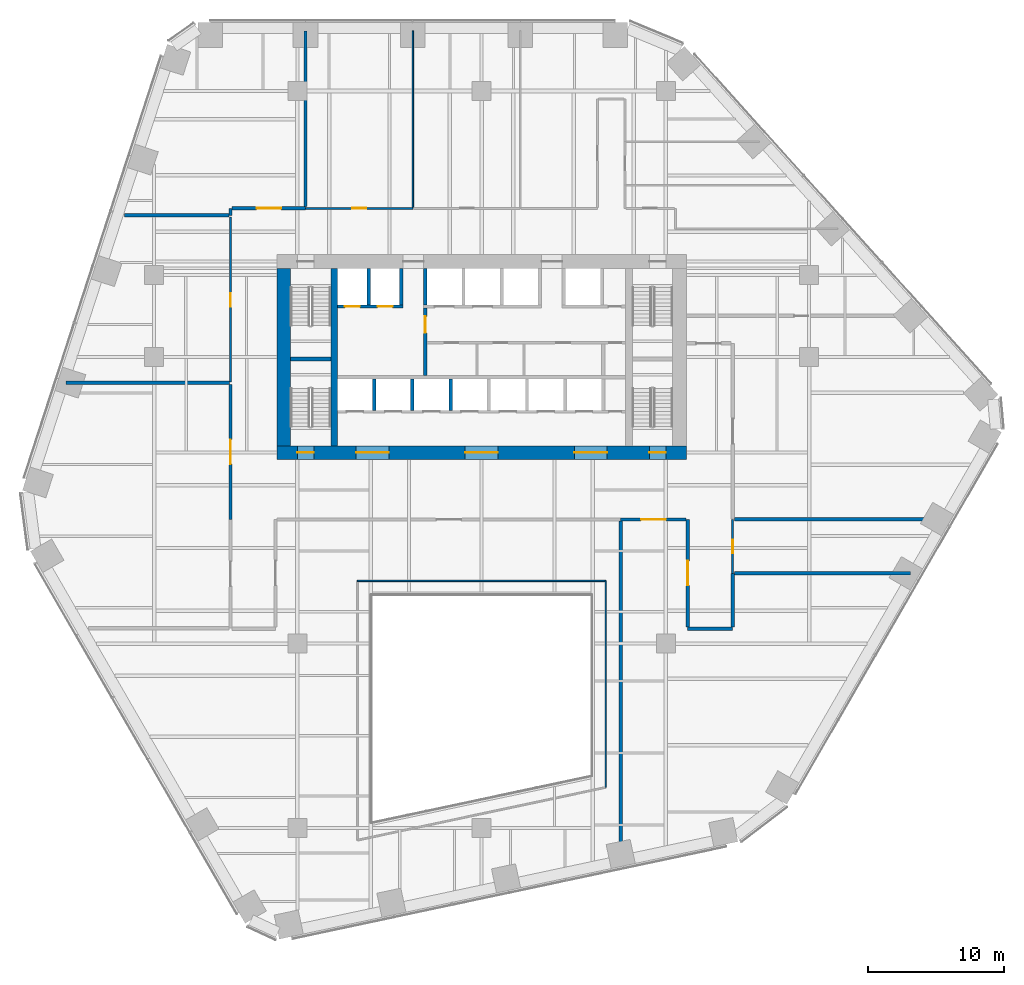
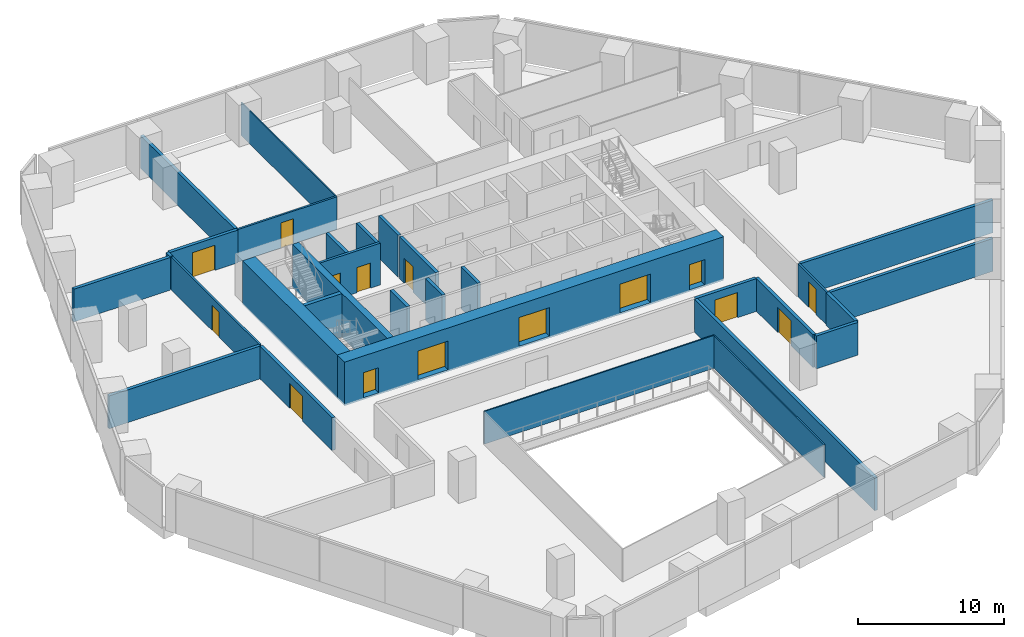
# One storey, part 14 of 20: 31 walls, 15 doors, 15 openings.
"""IFC4 building model written with IfcOpenShell, lengths in metres."""

from ifc_helpers import new_model, si_unit, direction, frame, frame_2d, origin, place, context, subcontext, project, spatial, rectangle, extrude, material, layer, layer_set, type_object, element, fill, save


model = new_model("IFC4")

# Units and contexts
model_context = context("Model", 3, precision=1e-05, world=origin(), true_north=direction((0.0, 1.0)))
body_context = subcontext(model_context, "Body", "Model", "MODEL_VIEW")
ifc_project = project(units=[si_unit("LENGTHUNIT", "METRE"), si_unit("AREAUNIT", "SQUARE_METRE"), si_unit("VOLUMEUNIT", "CUBIC_METRE"), si_unit("PLANEANGLEUNIT", "RADIAN"), si_unit("MASSUNIT", "GRAM", prefix="KILO")], contexts=[model_context])

# Site, building, storey
site_placement = place(None, origin())
site = spatial("IfcSite", under=ifc_project, at=site_placement, CompositionType="ELEMENT")
building_placement = place(site_placement, origin())
building = spatial("IfcBuilding", under=site, at=building_placement, Name="Isthmus Gate Tower", CompositionType="ELEMENT")
storey_placement = place(building_placement, frame((0.0, 0.0, 43.300048828125)))
storey = spatial("IfcBuildingStorey", under=building, at=storey_placement, Name="L08", CompositionType="ELEMENT", Elevation=43.300048828125)

# Wall, opening, door
ifc_material_1 = material(Name="Double-leaf acoustic stud wall, fire-rated", Category="gypsum")
ifc_layer_1 = layer(ifc_material_1, 0.25)
ifc_layer_set_1 = layer_set([ifc_layer_1], Name="ACOUSTIC WALL 250 60 MIN")
wall_type_1 = type_object("IfcWallType", Name="ACOUSTIC WALL 250 60 MIN", PredefinedType="PARTITIONING", material=ifc_layer_set_1)
wall_1_placement = place(storey_placement, frame((14.97509765625, -4.39990234375, 0.0), z_axis=(0.0, 0.0, 1.0), x_axis=(-1.0, 0.0, 0.0)))
wall_1 = element("IfcWall", 1, at=wall_1_placement, inside=storey, type_object=wall_type_1, Name="L08 Acoustic Wall 250 60 Min", PredefinedType="PARTITIONING", context=body_context, shape_type="SweptSolid", body=[
    extrude(rectangle(XDim=4.783203125, YDim=0.25, at=frame_2d((2.3916015625, 0.0))), origin(), (0.0, 0.0, 1.0), 2.7412109375),
])
opening_1_placement = place(wall_1_placement, frame((1.47900390625, 0.0, 0.0)))
opening_1 = element("IfcOpeningElement", 2, at=opening_1_placement, cuts=wall_1, Name="Opening DT-T1A-17", PredefinedType="OPENING", context=body_context, shape_type="SweptSolid", body=[
    extrude(rectangle(XDim=1.800048828125, YDim=2.10009765625, at=frame_2d((0.89990234375, 1.050048828125))), frame((0.0, 0.135009765625, 0.0), z_axis=(0.0, -1.0, 0.0), x_axis=(1.0, 0.0, 0.0)), (0.0, 0.0, 1.0), 0.27001953125),
])
ifc_material_2 = material(Name="Solid core timber door leaf, fire-rated", Category="wood")
door_type_1 = type_object("IfcDoorType", Name="FIRE DOOR ACOUSTIC ROOM 1800 X 2100 60 MIN", OperationType="DOUBLE_DOOR_DOUBLE_SWING", PredefinedType="DOOR", material=ifc_material_2)
door_1_placement = place(opening_1_placement, origin())
door_1 = element("IfcDoor", 3, at=door_1_placement, inside=storey, type_object=door_type_1, Name="L08 room door", OperationType="DOUBLE_DOOR_DOUBLE_SWING", OverallHeight=2.10009765625, OverallWidth=1.800048828125, PredefinedType="DOOR", context=body_context, shape_type="SweptSolid", body=[
    extrude(rectangle(XDim=1.800048828125, YDim=2.10009765625, at=frame_2d((0.89990234375, 1.050048828125))), frame((0.0, 0.02490234375, 0.0), z_axis=(0.0, -1.0, 0.0), x_axis=(1.0, 0.0, 0.0)), (0.0, 0.0, 1.0), 0.050048828125),
])
fill(opening_1, door_1)

# Walls
wall_2_placement = place(storey_placement, frame((18.39990234375, -12.39990234375, 0.0), z_axis=(0.0, 0.0, 1.0), x_axis=(-1.0, 0.0, 0.0)))
element("IfcWall", 4, at=wall_2_placement, inside=storey, type_object=wall_type_1, Name="L08 Acoustic Wall 250 60 Min", PredefinedType="PARTITIONING", context=body_context, shape_type="SweptSolid", body=[
    extrude(rectangle(XDim=3.2998046875, YDim=0.25, at=frame_2d((1.64990234375, 0.0))), origin(), (0.0, 0.0, 1.0), 2.7412109375),
])
wall_3_placement = place(storey_placement, frame((18.402099609375, -8.35009765625, 0.0), z_axis=(0.0, 0.0, 1.0), x_axis=(-0.000497636166, -0.999999876179, 0.0)))
element("IfcWall", 5, at=wall_3_placement, inside=storey, type_object=wall_type_1, Name="L08 Acoustic Wall 250 60 Min", PredefinedType="PARTITIONING", context=body_context, shape_type="SweptSolid", body=[
    extrude(rectangle(XDim=3.9248046875, YDim=0.25, at=frame_2d((1.96240234375, 0.0))), origin(), (0.0, 0.0, 1.0), 2.7412109375),
])
wall_4_placement = place(storey_placement, frame((-18.39990234375, 17.881103515625, 0.0), z_axis=(0.0, 0.0, 1.0), x_axis=(0.0, 1.0, 0.0)))
element("IfcWall", 6, at=wall_4_placement, inside=storey, type_object=wall_type_1, Name="L08 Acoustic Wall 250 60 Min", PredefinedType="PARTITIONING", context=body_context, shape_type="SweptSolid", body=[
    extrude(rectangle(XDim=0.518798828125, YDim=0.25, at=frame_2d((0.25927734375, 0.0))), origin(), (0.0, 0.0, 1.0), 2.7412109375),
])

# Wall, opening, door
wall_5_placement = place(storey_placement, frame((-18.27490234375, 18.39990234375, 0.0), z_axis=(0.0, 0.0, 1.0), x_axis=(1.0, 0.0, 0.0)))
wall_5 = element("IfcWall", 7, at=wall_5_placement, inside=storey, type_object=wall_type_1, Name="L08 Acoustic Wall 250 60 Min", PredefinedType="PARTITIONING", context=body_context, shape_type="SweptSolid", body=[
    extrude(rectangle(XDim=5.369873046875, YDim=0.25, at=frame_2d((2.68505859375, 0.0))), origin(), (0.0, 0.0, 1.0), 2.7412109375),
])
opening_2_placement = place(wall_5_placement, frame((1.784912109375, 0.0, 0.0)))
opening_2 = element("IfcOpeningElement", 8, at=opening_2_placement, cuts=wall_5, Name="Opening DT-T1A-01", PredefinedType="OPENING", context=body_context, shape_type="SweptSolid", body=[
    extrude(rectangle(XDim=1.800048828125, YDim=2.10009765625, at=frame_2d((0.89990234375, 1.050048828125))), frame((0.0, 0.135009765625, 0.0), z_axis=(0.0, -1.0, 0.0), x_axis=(1.0, 0.0, 0.0)), (0.0, 0.0, 1.0), 0.27001953125),
])
door_2_placement = place(opening_2_placement, origin())
door_2 = element("IfcDoor", 9, at=door_2_placement, inside=storey, type_object=door_type_1, Name="L08 room door", OperationType="DOUBLE_DOOR_DOUBLE_SWING", OverallHeight=2.10009765625, OverallWidth=1.800048828125, PredefinedType="DOOR", context=body_context, shape_type="SweptSolid", body=[
    extrude(rectangle(XDim=1.800048828125, YDim=2.10009765625, at=frame_2d((0.89990234375, 1.050048828125))), frame((0.0, 0.02490234375, 0.0), z_axis=(0.0, -1.0, 0.0), x_axis=(1.0, 0.0, 0.0)), (0.0, 0.0, 1.0), 0.050048828125),
])
fill(opening_2, door_2)

# Walls
wall_6_placement = place(storey_placement, frame((-26.169921875, 17.8828125, 0.0), z_axis=(0.0, 0.0, 1.0), x_axis=(0.999999975014, -0.00022354218, 0.0)))
element("IfcWall", 10, at=wall_6_placement, inside=storey, type_object=wall_type_1, Name="L08 Acoustic Wall 250 60 Min", PredefinedType="PARTITIONING", context=body_context, shape_type="SweptSolid", body=[
    extrude(rectangle(XDim=7.64501953125, YDim=0.25, at=frame_2d((3.822509765625, 0.0))), origin(), (0.0, 0.0, 1.0), 2.7412109375),
])
wall_7_placement = place(storey_placement, frame((-12.906982421875, 31.39990234375, 0.0), z_axis=(0.0, 0.0, 1.0), x_axis=(0.000151699027, -0.999999988494, 0.0)))
element("IfcWall", 11, at=wall_7_placement, inside=storey, type_object=wall_type_1, Name="L08 Acoustic Wall 250 60 Min", PredefinedType="PARTITIONING", context=body_context, shape_type="SweptSolid", body=[
    extrude(rectangle(XDim=12.875, YDim=0.25, at=frame_2d((6.4375, 0.0))), origin(), (0.0, 0.0, 1.0), 2.7412109375),
])
wall_8_placement = place(storey_placement, frame((-30.450927734375, 5.6298828125, 0.0), z_axis=(0.0, 0.0, 1.0), x_axis=(1.0, 0.0, 0.0)))
element("IfcWall", 12, at=wall_8_placement, inside=storey, type_object=wall_type_1, Name="L08 Acoustic Wall 250 60 Min", PredefinedType="PARTITIONING", context=body_context, shape_type="SweptSolid", body=[
    extrude(rectangle(XDim=11.975830078125, YDim=0.25, at=frame_2d((5.98779296875, 0.0))), origin(), (0.0, 0.0, 1.0), 2.7412109375),
])
wall_9_placement = place(storey_placement, frame((18.52490234375, -4.3720703125, 0.0), z_axis=(0.0, 0.0, 1.0), x_axis=(1.0, 0.0, 0.0)))
element("IfcWall", 13, at=wall_9_placement, inside=storey, type_object=wall_type_1, Name="L08 Acoustic Wall 250 60 Min", PredefinedType="PARTITIONING", context=body_context, shape_type="SweptSolid", body=[
    extrude(rectangle(XDim=15.2080078125, YDim=0.25, at=frame_2d((7.60400390625, 0.0))), origin(), (0.0, 0.0, 1.0), 2.7412109375),
])

# Wall, opening, door
wall_10_placement = place(storey_placement, frame((-18.39990234375, -4.39794921875, 0.0), z_axis=(0.0, 0.0, 1.0), x_axis=(0.0, 1.0, 0.0)))
wall_10 = element("IfcWall", 14, at=wall_10_placement, inside=storey, type_object=wall_type_1, Name="L08 Acoustic Wall 250 60 Min", PredefinedType="PARTITIONING", context=body_context, shape_type="SweptSolid", body=[
    extrude(rectangle(XDim=9.90283203125, YDim=0.25, at=frame_2d((4.951416015625, 0.0))), origin(), (0.0, 0.0, 1.0), 2.7412109375),
])
opening_3_placement = place(wall_10_placement, frame((4.051513671875, 0.0, 0.0)))
opening_3 = element("IfcOpeningElement", 15, at=opening_3_placement, cuts=wall_10, Name="Opening DT-T1A-11", PredefinedType="OPENING", context=body_context, shape_type="SweptSolid", body=[
    extrude(rectangle(XDim=1.800048828125, YDim=2.10009765625, at=frame_2d((0.89990234375, 1.050048828125))), frame((0.0, 0.135009765625, 0.0), z_axis=(0.0, -1.0, 0.0), x_axis=(1.0, 0.0, 0.0)), (0.0, 0.0, 1.0), 0.27001953125),
])
door_3_placement = place(opening_3_placement, origin())
door_3 = element("IfcDoor", 16, at=door_3_placement, inside=storey, type_object=door_type_1, Name="L08 room door", OperationType="DOUBLE_DOOR_DOUBLE_SWING", OverallHeight=2.10009765625, OverallWidth=1.800048828125, PredefinedType="DOOR", context=body_context, shape_type="SweptSolid", body=[
    extrude(rectangle(XDim=1.800048828125, YDim=2.10009765625, at=frame_2d((0.89990234375, 1.050048828125))), frame((0.0, 0.02490234375, 0.0), z_axis=(0.0, -1.0, 0.0), x_axis=(1.0, 0.0, 0.0)), (0.0, 0.0, 1.0), 0.050048828125),
])
fill(opening_3, door_3)

# Walls
wall_11_placement = place(storey_placement, frame((18.527099609375, -8.35009765625, 0.0), z_axis=(0.0, 0.0, 1.0), x_axis=(1.0, 0.0, 0.0)))
element("IfcWall", 17, at=wall_11_placement, inside=storey, type_object=wall_type_1, Name="L08 Acoustic Wall 250 60 Min", PredefinedType="PARTITIONING", context=body_context, shape_type="SweptSolid", body=[
    extrude(rectangle(XDim=12.909912109375, YDim=0.25, at=frame_2d((6.455078125, 0.0))), origin(), (0.0, 0.0, 1.0), 2.7412109375),
])
wall_12_placement = place(storey_placement, frame((10.19189453125, -29.219970703125, 0.0), z_axis=(0.0, 0.0, 1.0), x_axis=(0.0, 1.0, 0.0)))
element("IfcWall", 18, at=wall_12_placement, inside=storey, type_object=wall_type_1, Name="L08 Acoustic Wall 250 60 Min", PredefinedType="PARTITIONING", context=body_context, shape_type="SweptSolid", body=[
    extrude(rectangle(XDim=24.695068359375, YDim=0.25, at=frame_2d((12.34765625, 0.0))), origin(), (0.0, 0.0, 1.0), 2.7412109375),
])

# Wall, opening, door
wall_13_placement = place(storey_placement, frame((15.10009765625, -12.27490234375, 0.0), z_axis=(0.0, 0.0, 1.0), x_axis=(0.0, 1.0, 0.0)))
wall_13 = element("IfcWall", 19, at=wall_13_placement, inside=storey, type_object=wall_type_1, Name="L08 Acoustic Wall 250 60 Min", PredefinedType="PARTITIONING", context=body_context, shape_type="SweptSolid", body=[
    extrude(rectangle(XDim=7.875, YDim=0.25, at=frame_2d((3.9375, 0.0))), origin(), (0.0, 0.0, 1.0), 2.7412109375),
])
opening_4_placement = place(wall_13_placement, frame((3.03759765625, 0.0, 0.0)))
opening_4 = element("IfcOpeningElement", 20, at=opening_4_placement, cuts=wall_13, Name="Opening DT-T1A-16", PredefinedType="OPENING", context=body_context, shape_type="SweptSolid", body=[
    extrude(rectangle(XDim=1.800048828125, YDim=2.10009765625, at=frame_2d((0.89990234375, 1.050048828125))), frame((0.0, 0.135009765625, 0.0), z_axis=(0.0, -1.0, 0.0), x_axis=(1.0, 0.0, 0.0)), (0.0, 0.0, 1.0), 0.27001953125),
])
door_4_placement = place(opening_4_placement, origin())
door_4 = element("IfcDoor", 21, at=door_4_placement, inside=storey, type_object=door_type_1, Name="L08 room door", OperationType="DOUBLE_DOOR_DOUBLE_SWING", OverallHeight=2.10009765625, OverallWidth=1.800048828125, PredefinedType="DOOR", context=body_context, shape_type="SweptSolid", body=[
    extrude(rectangle(XDim=1.800048828125, YDim=2.10009765625, at=frame_2d((0.89990234375, 1.050048828125))), frame((0.0, 0.02490234375, 0.0), z_axis=(0.0, -1.0, 0.0), x_axis=(1.0, 0.0, 0.0)), (0.0, 0.0, 1.0), 0.050048828125),
])
fill(opening_4, door_4)

# Walls
ifc_material_3 = material(Name="Fire-rated laminated glass in steel frame", Category="steel")
ifc_layer_2 = layer(ifc_material_3, 0.10009765625)
ifc_layer_set_2 = layer_set([ifc_layer_2], Name="ATRIUM SCREEN GLAZED WALL 100 120 MIN")
wall_type_2 = type_object("IfcWallType", Name="ATRIUM SCREEN GLAZED WALL 100 120 MIN", PredefinedType="PARTITIONING", material=ifc_layer_set_2)
wall_14_placement = place(storey_placement, frame((-9.10009765625, -8.89990234375, 0.0), z_axis=(0.0, 0.0, 1.0), x_axis=(1.0, 0.0, 0.0)))
element("IfcWall", 22, at=wall_14_placement, inside=storey, type_object=wall_type_2, Name="L08 atrium screen", PredefinedType="PARTITIONING", context=body_context, shape_type="SweptSolid", body=[
    extrude(rectangle(XDim=18.2001953125, YDim=0.10009765625, at=frame_2d((9.10009765625, 0.0))), origin(), (0.0, 0.0, 1.0), 2.7412109375),
])
wall_15_placement = place(storey_placement, frame((9.10009765625, -8.89990234375, 0.0), z_axis=(0.0, 0.0, 1.0), x_axis=(0.0, -1.0, 0.0)))
element("IfcWall", 23, at=wall_15_placement, inside=storey, type_object=wall_type_2, Name="L08 atrium screen", PredefinedType="PARTITIONING", context=body_context, shape_type="SweptSolid", body=[
    extrude(rectangle(XDim=15.134033203125, YDim=0.10009765625, at=frame_2d((7.56689453125, 0.0))), origin(), (0.0, 0.0, 1.0), 2.7412109375),
])

# Wall, opening, door
ifc_material_4 = material(Name="Gypsum board on steel studs, fire-rated", Category="steel")
ifc_layer_3 = layer(ifc_material_4, 0.14990234375)
ifc_layer_set_3 = layer_set([ifc_layer_3], Name="CORRIDOR WALL 150 60 MIN")
wall_type_3 = type_object("IfcWallType", Name="CORRIDOR WALL 150 60 MIN", PredefinedType="PARTITIONING", material=ifc_layer_set_3)
wall_16_placement = place(storey_placement, frame((18.402099609375, -4.39794921875, 0.0), z_axis=(0.0, 0.0, 1.0), x_axis=(0.0, -1.0, 0.0)))
wall_16 = element("IfcWall", 24, at=wall_16_placement, inside=storey, type_object=wall_type_3, Name="L08 Corridor Wall 150 60 Min", PredefinedType="PARTITIONING", context=body_context, shape_type="SweptSolid", body=[
    extrude(rectangle(XDim=3.9521484375, YDim=0.14990234375, at=frame_2d((1.97607421875, 0.0))), origin(), (0.0, 0.0, 1.0), 2.7412109375),
])
opening_5_placement = place(wall_16_placement, frame((1.47607421875, 0.0, 0.0)))
opening_5 = element("IfcOpeningElement", 25, at=opening_5_placement, cuts=wall_16, Name="Opening DT-T1A-13", PredefinedType="OPENING", context=body_context, shape_type="SweptSolid", body=[
    extrude(rectangle(XDim=1.0, YDim=2.10009765625, at=frame_2d((0.5, 1.050048828125))), frame((0.0, 0.0849609375, 0.0), z_axis=(0.0, -1.0, 0.0), x_axis=(1.0, 0.0, 0.0)), (0.0, 0.0, 1.0), 0.169921875),
])
ifc_material_5 = material(Name="Solid core timber door leaf, fire-rated", Category="wood")
door_type_2 = type_object("IfcDoorType", Name="FIRE DOOR ROOM 1000 X 2100 60 MIN", OperationType="SINGLE_SWING_LEFT", PredefinedType="DOOR", material=ifc_material_5)
door_5_placement = place(opening_5_placement, origin())
door_5 = element("IfcDoor", 26, at=door_5_placement, inside=storey, type_object=door_type_2, Name="L08 room door", OperationType="SINGLE_SWING_RIGHT", OverallHeight=2.10009765625, OverallWidth=1.0, PredefinedType="DOOR", context=body_context, shape_type="SweptSolid", body=[
    extrude(rectangle(XDim=1.0, YDim=2.10009765625, at=frame_2d((0.5, 1.050048828125))), frame((0.0, 0.02490234375, 0.0), z_axis=(0.0, -1.0, 0.0), x_axis=(1.0, 0.0, 0.0)), (0.0, 0.0, 1.0), 0.050048828125),
])
fill(opening_5, door_5)

wall_17_placement = place(storey_placement, frame((-12.905029296875, 18.39990234375, 0.0), z_axis=(0.0, 0.0, 1.0), x_axis=(1.0, 0.0, 0.0)))
wall_17 = element("IfcWall", 27, at=wall_17_placement, inside=storey, type_object=wall_type_3, Name="L08 Corridor Wall 150 60 Min", PredefinedType="PARTITIONING", context=body_context, shape_type="SweptSolid", body=[
    extrude(rectangle(XDim=7.867919921875, YDim=0.14990234375, at=frame_2d((3.93408203125, 0.0))), origin(), (0.0, 0.0, 1.0), 2.7412109375),
])
opening_6_placement = place(wall_17_placement, frame((3.43408203125, 0.0, 0.0)))
opening_6 = element("IfcOpeningElement", 28, at=opening_6_placement, cuts=wall_17, Name="Opening DT-T1A-02", PredefinedType="OPENING", context=body_context, shape_type="SweptSolid", body=[
    extrude(rectangle(XDim=1.0, YDim=2.10009765625, at=frame_2d((0.5, 1.050048828125))), frame((0.0, 0.0849609375, 0.0), z_axis=(0.0, -1.0, 0.0), x_axis=(1.0, 0.0, 0.0)), (0.0, 0.0, 1.0), 0.169921875),
])
door_6_placement = place(opening_6_placement, origin())
door_6 = element("IfcDoor", 29, at=door_6_placement, inside=storey, type_object=door_type_2, Name="L08 room door", OperationType="SINGLE_SWING_RIGHT", OverallHeight=2.10009765625, OverallWidth=1.0, PredefinedType="DOOR", context=body_context, shape_type="SweptSolid", body=[
    extrude(rectangle(XDim=1.0, YDim=2.10009765625, at=frame_2d((0.5, 1.050048828125))), frame((0.0, 0.02490234375, 0.0), z_axis=(0.0, -1.0, 0.0), x_axis=(1.0, 0.0, 0.0)), (0.0, 0.0, 1.0), 0.050048828125),
])
fill(opening_6, door_6)

wall_18_placement = place(storey_placement, frame((-18.39990234375, 5.679931640625, 0.0), z_axis=(0.0, 0.0, 1.0), x_axis=(0.0, 1.0, 0.0)))
wall_18 = element("IfcWall", 30, at=wall_18_placement, inside=storey, type_object=wall_type_3, Name="L08 Corridor Wall 150 60 Min", PredefinedType="PARTITIONING", context=body_context, shape_type="SweptSolid", body=[
    extrude(rectangle(XDim=12.076171875, YDim=0.14990234375, at=frame_2d((6.0380859375, 0.0))), origin(), (0.0, 0.0, 1.0), 2.7412109375),
])
opening_7_placement = place(wall_18_placement, frame((5.512939453125, 0.0, 0.0)))
opening_7 = element("IfcOpeningElement", 31, at=opening_7_placement, cuts=wall_18, Name="Opening DT-T1A-07", PredefinedType="OPENING", context=body_context, shape_type="SweptSolid", body=[
    extrude(rectangle(XDim=1.0, YDim=2.10009765625, at=frame_2d((0.5, 1.050048828125))), frame((0.0, 0.0849609375, 0.0), z_axis=(0.0, -1.0, 0.0), x_axis=(1.0, 0.0, 0.0)), (0.0, 0.0, 1.0), 0.169921875),
])
door_7_placement = place(opening_7_placement, origin())
door_7 = element("IfcDoor", 32, at=door_7_placement, inside=storey, type_object=door_type_2, Name="L08 room door", OperationType="SINGLE_SWING_RIGHT", OverallHeight=2.10009765625, OverallWidth=1.0, PredefinedType="DOOR", context=body_context, shape_type="SweptSolid", body=[
    extrude(rectangle(XDim=1.0, YDim=2.10009765625, at=frame_2d((0.5, 1.050048828125))), frame((0.0, 0.02490234375, 0.0), z_axis=(0.0, -1.0, 0.0), x_axis=(1.0, 0.0, 0.0)), (0.0, 0.0, 1.0), 0.050048828125),
])
fill(opening_7, door_7)

ifc_material_6 = material(Name="Fire-rated blockwork masonry, 15 MPa", Category="masonry")
ifc_layer_4 = layer(ifc_material_6, 0.25)
ifc_layer_set_4 = layer_set([ifc_layer_4], Name="FIRE-FIGHTING LOBBY WALL 250 90 MIN")
wall_type_4 = type_object("IfcWallType", Name="FIRE-FIGHTING LOBBY WALL 250 90 MIN", PredefinedType="PARTITIONING", material=ifc_layer_set_4)
wall_19_placement = place(storey_placement, frame((-4.125, 6.14990234375, 0.0), z_axis=(0.0, 0.0, 1.0), x_axis=(0.0, 1.0, 0.0)))
wall_19 = element("IfcWall", 33, at=wall_19_placement, inside=storey, type_object=wall_type_4, Name="L08 FIRE-FIGHTING LOBBY WALL 250 90 MIN", PredefinedType="PARTITIONING", context=body_context, shape_type="SweptSolid", body=[
    extrude(rectangle(XDim=4.9501953125, YDim=0.25, at=frame_2d((2.47509765625, 0.0))), origin(), (0.0, 0.0, 1.0), 3.5),
])
opening_8_placement = place(wall_19_placement, frame((3.125, 0.0, 0.0)))
opening_8 = element("IfcOpeningElement", 34, at=opening_8_placement, cuts=wall_19, Name="Opening DC-A05-01", PredefinedType="OPENING", context=body_context, shape_type="SweptSolid", body=[
    extrude(rectangle(XDim=1.199951171875, YDim=2.10009765625, at=frame_2d((0.60009765625, 1.050048828125))), frame((0.0, 0.135009765625, 0.0), z_axis=(0.0, -1.0, 0.0), x_axis=(1.0, 0.0, 0.0)), (0.0, 0.0, 1.0), 0.27001953125),
])
ifc_material_7 = material(Name="Steel door leaf, fire-rated", Category="steel")
door_type_3 = type_object("IfcDoorType", Name="LOBBY FIRE DOOR 1200 X 2100 90 MIN", OperationType="DOUBLE_DOOR_SINGLE_SWING", PredefinedType="DOOR", material=ifc_material_7)
door_8_placement = place(opening_8_placement, origin())
door_8 = element("IfcDoor", 35, at=door_8_placement, inside=storey, type_object=door_type_3, Name="Fire-fighting Lobby Door", OperationType="SINGLE_SWING_LEFT", OverallHeight=2.10009765625, OverallWidth=1.199951171875, PredefinedType="DOOR", context=body_context, shape_type="SweptSolid", body=[
    extrude(rectangle(XDim=1.199951171875, YDim=2.10009765625, at=frame_2d((0.60009765625, 1.050048828125))), frame((0.0, 0.02490234375, 0.0), z_axis=(0.0, -1.0, 0.0), x_axis=(1.0, 0.0, 0.0)), (0.0, 0.0, 1.0), 0.050048828125),
])
fill(opening_8, door_8)

# Wall
ifc_material_8 = material(Name="Concrete f'c 70 MPa", Category="concrete")
ifc_layer_5 = layer(ifc_material_8, 0.5)
ifc_layer_set_5 = layer_set([ifc_layer_5], Name="RC CORE SPINE WALL 500 F'C 70")
wall_type_5 = type_object("IfcWallType", Name="RC CORE SPINE WALL 500 F'C 70", PredefinedType="SOLIDWALL", material=ifc_layer_set_5)
wall_20_placement = place(storey_placement, frame((-10.800048828125, 1.0, -0.150146484375), z_axis=(0.0, 0.0, 1.0), x_axis=(0.0, 1.0, 0.0)))
element("IfcWall", 36, at=wall_20_placement, inside=storey, type_object=wall_type_5, Name="str-corewall-L08-SPW", PredefinedType="SOLIDWALL", context=body_context, shape_type="SweptSolid", body=[
    extrude(rectangle(XDim=13.0, YDim=0.5, at=frame_2d((6.5, 0.0))), origin(), (0.0, 0.0, 1.0), 3.650146484375),
])

# Wall, openings, doors
ifc_material_9 = material(Name="Concrete f'c 70 MPa", Category="concrete")
ifc_layer_6 = layer(ifc_material_9, 1.0)
ifc_layer_set_6 = layer_set([ifc_layer_6], Name="RC CORE WALL 1000 F'C 70")
wall_type_6 = type_object("IfcWallType", Name="RC CORE WALL 1000 F'C 70", PredefinedType="SOLIDWALL", material=ifc_layer_set_6)
wall_21_placement = place(storey_placement, frame((-15.0, 0.5, -0.150146484375), z_axis=(0.0, 0.0, 1.0), x_axis=(1.0, 0.0, 0.0)))
wall_21 = element("IfcWall", 37, at=wall_21_placement, inside=storey, type_object=wall_type_6, Name="str-corewall-L08-S", PredefinedType="SOLIDWALL", context=body_context, shape_type="SweptSolid", body=[
    extrude(rectangle(XDim=30.0, YDim=1.0, at=frame_2d((15.0, 0.0))), origin(), (0.0, 0.0, 1.0), 3.650146484375),
])
opening_9_placement = place(wall_21_placement, frame((5.800048828125, 0.0, 0.14990234375)))
opening_9 = element("IfcOpeningElement", 38, at=opening_9_placement, cuts=wall_21, Name="Opening DC-A05-08", PredefinedType="OPENING", context=body_context, shape_type="SweptSolid", body=[
    extrude(rectangle(XDim=2.39990234375, YDim=2.39990234375, at=frame_2d((1.199951171875, 1.199951171875))), frame((0.0, 0.510009765625, 0.0), z_axis=(0.0, -1.0, 0.0), x_axis=(1.0, 0.0, 0.0)), (0.0, 0.0, 1.0), 1.02001953125),
])
opening_10_placement = place(wall_21_placement, frame((13.800048828125, 0.0, 0.14990234375)))
opening_10 = element("IfcOpeningElement", 39, at=opening_10_placement, cuts=wall_21, Name="Opening DC-A05-09", PredefinedType="OPENING", context=body_context, shape_type="SweptSolid", body=[
    extrude(rectangle(XDim=2.39990234375, YDim=2.39990234375, at=frame_2d((1.199951171875, 1.199951171875))), frame((0.0, 0.510009765625, 0.0), z_axis=(0.0, -1.0, 0.0), x_axis=(1.0, 0.0, 0.0)), (0.0, 0.0, 1.0), 1.02001953125),
])
opening_11_placement = place(wall_21_placement, frame((21.800048828125, 0.0, 0.14990234375)))
opening_11 = element("IfcOpeningElement", 40, at=opening_11_placement, cuts=wall_21, Name="Opening DC-A05-10", PredefinedType="OPENING", context=body_context, shape_type="SweptSolid", body=[
    extrude(rectangle(XDim=2.39990234375, YDim=2.39990234375, at=frame_2d((1.199951171875, 1.199951171875))), frame((0.0, 0.510009765625, 0.0), z_axis=(0.0, -1.0, 0.0), x_axis=(1.0, 0.0, 0.0)), (0.0, 0.0, 1.0), 1.02001953125),
])
opening_12_placement = place(wall_21_placement, frame((1.5, 0.0, 0.14990234375)))
opening_12 = element("IfcOpeningElement", 41, at=opening_12_placement, cuts=wall_21, Name="Opening DC-A05-15", PredefinedType="OPENING", context=body_context, shape_type="SweptSolid", body=[
    extrude(rectangle(XDim=1.199951171875, YDim=2.10009765625, at=frame_2d((0.60009765625, 1.050048828125))), frame((0.0, 0.510009765625, 0.0), z_axis=(0.0, -1.0, 0.0), x_axis=(1.0, 0.0, 0.0)), (0.0, 0.0, 1.0), 1.02001953125),
])
opening_13_placement = place(wall_21_placement, frame((27.300048828125, 0.0, 0.14990234375)))
opening_13 = element("IfcOpeningElement", 42, at=opening_13_placement, cuts=wall_21, Name="Opening DC-A05-16", PredefinedType="OPENING", context=body_context, shape_type="SweptSolid", body=[
    extrude(rectangle(XDim=1.199951171875, YDim=2.10009765625, at=frame_2d((0.60009765625, 1.050048828125))), frame((0.0, 0.510009765625, 0.0), z_axis=(0.0, -1.0, 0.0), x_axis=(1.0, 0.0, 0.0)), (0.0, 0.0, 1.0), 1.02001953125),
])
ifc_material_10 = material(Name="Laminated safety glass in steel frame, fire-rated", Category="steel")
door_type_4 = type_object("IfcDoorType", Name="LOBBY ENTRANCE FIRE DOOR 2400 X 2400 60 MIN", OperationType="DOUBLE_DOOR_DOUBLE_SWING", PredefinedType="DOOR", material=ifc_material_10)
door_9_placement = place(opening_9_placement, origin())
door_9 = element("IfcDoor", 43, at=door_9_placement, inside=storey, type_object=door_type_4, Name="Lobby Entrance PS-W", OperationType="DOUBLE_DOOR_DOUBLE_SWING", OverallHeight=2.39990234375, OverallWidth=2.39990234375, PredefinedType="DOOR", context=body_context, shape_type="SweptSolid", body=[
    extrude(rectangle(XDim=2.39990234375, YDim=2.39990234375, at=frame_2d((1.199951171875, 1.199951171875))), frame((0.0, 0.02490234375, 0.0), z_axis=(0.0, -1.0, 0.0), x_axis=(1.0, 0.0, 0.0)), (0.0, 0.0, 1.0), 0.050048828125),
])
fill(opening_9, door_9)
door_10_placement = place(opening_10_placement, origin())
door_10 = element("IfcDoor", 44, at=door_10_placement, inside=storey, type_object=door_type_4, Name="Lobby Entrance PS-C", OperationType="DOUBLE_DOOR_DOUBLE_SWING", OverallHeight=2.39990234375, OverallWidth=2.39990234375, PredefinedType="DOOR", context=body_context, shape_type="SweptSolid", body=[
    extrude(rectangle(XDim=2.39990234375, YDim=2.39990234375, at=frame_2d((1.199951171875, 1.199951171875))), frame((0.0, 0.02490234375, 0.0), z_axis=(0.0, -1.0, 0.0), x_axis=(1.0, 0.0, 0.0)), (0.0, 0.0, 1.0), 0.050048828125),
])
fill(opening_10, door_10)
door_11_placement = place(opening_11_placement, origin())
door_11 = element("IfcDoor", 45, at=door_11_placement, inside=storey, type_object=door_type_4, Name="Lobby Entrance PS-E", OperationType="DOUBLE_DOOR_DOUBLE_SWING", OverallHeight=2.39990234375, OverallWidth=2.39990234375, PredefinedType="DOOR", context=body_context, shape_type="SweptSolid", body=[
    extrude(rectangle(XDim=2.39990234375, YDim=2.39990234375, at=frame_2d((1.199951171875, 1.199951171875))), frame((0.0, 0.02490234375, 0.0), z_axis=(0.0, -1.0, 0.0), x_axis=(1.0, 0.0, 0.0)), (0.0, 0.0, 1.0), 0.050048828125),
])
fill(opening_11, door_11)
ifc_material_11 = material(Name="Steel door leaf, fire-rated", Category="steel")
door_type_5 = type_object("IfcDoorType", Name="STAIR FIRE DOOR 1200 X 2100 90 MIN", OperationType="SINGLE_SWING_LEFT", PredefinedType="DOOR", material=ifc_material_11)
door_12_placement = place(opening_12_placement, origin())
door_12 = element("IfcDoor", 46, at=door_12_placement, inside=storey, type_object=door_type_5, Name="Exit Stair 7 Door", OperationType="SINGLE_SWING_LEFT", OverallHeight=2.10009765625, OverallWidth=1.199951171875, PredefinedType="DOOR", context=body_context, shape_type="SweptSolid", body=[
    extrude(rectangle(XDim=1.199951171875, YDim=2.10009765625, at=frame_2d((0.60009765625, 1.050048828125))), frame((0.0, 0.02490234375, 0.0), z_axis=(0.0, -1.0, 0.0), x_axis=(1.0, 0.0, 0.0)), (0.0, 0.0, 1.0), 0.050048828125),
])
fill(opening_12, door_12)
door_13_placement = place(opening_13_placement, origin())
door_13 = element("IfcDoor", 47, at=door_13_placement, inside=storey, type_object=door_type_5, Name="Exit Stair 8 Door", OperationType="SINGLE_SWING_RIGHT", OverallHeight=2.10009765625, OverallWidth=1.199951171875, PredefinedType="DOOR", context=body_context, shape_type="SweptSolid", body=[
    extrude(rectangle(XDim=1.199951171875, YDim=2.10009765625, at=frame_2d((0.60009765625, 1.050048828125))), frame((0.0, 0.02490234375, 0.0), z_axis=(0.0, -1.0, 0.0), x_axis=(1.0, 0.0, 0.0)), (0.0, 0.0, 1.0), 0.050048828125),
])
fill(opening_13, door_13)

# Walls
wall_22_placement = place(storey_placement, frame((-14.5, 1.0, -0.150146484375), z_axis=(0.0, 0.0, 1.0), x_axis=(0.0, 1.0, 0.0)))
element("IfcWall", 48, at=wall_22_placement, inside=storey, type_object=wall_type_6, Name="str-corewall-L08-W", PredefinedType="SOLIDWALL", context=body_context, shape_type="SweptSolid", body=[
    extrude(rectangle(XDim=13.0, YDim=1.0, at=frame_2d((6.5, 0.0))), origin(), (0.0, 0.0, 1.0), 3.650146484375),
])
ifc_material_12 = material(Name="Gypsum board on steel studs, fire-rated", Category="steel")
ifc_layer_7 = layer(ifc_material_12, 0.10009765625)
ifc_layer_set_7 = layer_set([ifc_layer_7], Name="ROOM PARTITION 100 30 MIN")
wall_type_7 = type_object("IfcWallType", Name="ROOM PARTITION 100 30 MIN", PredefinedType="PARTITIONING", material=ifc_layer_set_7)
wall_23_placement = place(storey_placement, frame((-5.037109375, 18.47509765625, 0.0), z_axis=(0.0, 0.0, 1.0), x_axis=(0.0, 1.0, 0.0)))
element("IfcWall", 49, at=wall_23_placement, inside=storey, type_object=wall_type_7, Name="L08 Room Partition 100 30 Min", PredefinedType="PARTITIONING", context=body_context, shape_type="SweptSolid", body=[
    extrude(rectangle(XDim=12.9248046875, YDim=0.10009765625, at=frame_2d((6.46240234375, 0.0))), origin(), (0.0, 0.0, 1.0), 2.7412109375),
])

# Wall, openings, doors
ifc_material_13 = material(Name="Fire-rated blockwork masonry, 15 MPa", Category="masonry")
ifc_layer_8 = layer(ifc_material_13, 0.199951171875)
ifc_layer_set_8 = layer_set([ifc_layer_8], Name="SHAFT FRONT WALL 200 120 MIN")
wall_type_8 = type_object("IfcWallType", Name="SHAFT FRONT WALL 200 120 MIN", PredefinedType="PARTITIONING", material=ifc_layer_set_8)
wall_24_placement = place(storey_placement, frame((-10.550048828125, 11.199951171875, 0.0), z_axis=(0.0, 0.0, 1.0), x_axis=(1.0, 0.0, 0.0)))
wall_24 = element("IfcWall", 50, at=wall_24_placement, inside=storey, type_object=wall_type_8, Name="L08 SHAFT FRONT WALL 200 120 MIN", PredefinedType="PARTITIONING", context=body_context, shape_type="SweptSolid", body=[
    extrude(rectangle(XDim=4.800048828125, YDim=0.199951171875, at=frame_2d((2.39990234375, 0.0))), origin(), (0.0, 0.0, 1.0), 3.5),
])
opening_14_placement = place(wall_24_placement, frame((0.52490234375, 0.0, 0.0)))
opening_14 = element("IfcOpeningElement", 51, at=opening_14_placement, cuts=wall_24, Name="Opening LD-LF1", PredefinedType="OPENING", context=body_context, shape_type="SweptSolid", body=[
    extrude(rectangle(XDim=1.10009765625, YDim=2.10009765625, at=frame_2d((0.550048828125, 1.050048828125))), frame((0.0, 0.10986328125, 0.0), z_axis=(0.0, -1.0, 0.0), x_axis=(1.0, 0.0, 0.0)), (0.0, 0.0, 1.0), 0.219970703125),
])
opening_15_placement = place(wall_24_placement, frame((2.925048828125, 0.0, 0.0)))
opening_15 = element("IfcOpeningElement", 52, at=opening_15_placement, cuts=wall_24, Name="Opening LD-LF2", PredefinedType="OPENING", context=body_context, shape_type="SweptSolid", body=[
    extrude(rectangle(XDim=1.10009765625, YDim=2.10009765625, at=frame_2d((0.550048828125, 1.050048828125))), frame((0.0, 0.10986328125, 0.0), z_axis=(0.0, -1.0, 0.0), x_axis=(1.0, 0.0, 0.0)), (0.0, 0.0, 1.0), 0.219970703125),
])
ifc_material_14 = material(Name="Stainless steel sliding leaf", Category="steel")
door_type_6 = type_object("IfcDoorType", Name="LIFT LANDING FIRE DOOR 1100 X 2100 90 MIN", OperationType="DOUBLE_DOOR_SLIDING", PredefinedType="DOOR", material=ifc_material_14)
door_14_placement = place(opening_14_placement, origin())
door_14 = element("IfcDoor", 53, at=door_14_placement, inside=storey, type_object=door_type_6, Name="Lift Landing Door LF1", OperationType="DOUBLE_DOOR_SLIDING", OverallHeight=2.10009765625, OverallWidth=1.10009765625, PredefinedType="DOOR", context=body_context, shape_type="SweptSolid", body=[
    extrude(rectangle(XDim=1.10009765625, YDim=2.10009765625, at=frame_2d((0.550048828125, 1.050048828125))), frame((0.0, 0.02490234375, 0.0), z_axis=(0.0, -1.0, 0.0), x_axis=(1.0, 0.0, 0.0)), (0.0, 0.0, 1.0), 0.050048828125),
])
fill(opening_14, door_14)
door_15_placement = place(opening_15_placement, origin())
door_15 = element("IfcDoor", 54, at=door_15_placement, inside=storey, type_object=door_type_6, Name="Lift Landing Door LF2", OperationType="DOUBLE_DOOR_SLIDING", OverallHeight=2.10009765625, OverallWidth=1.10009765625, PredefinedType="DOOR", context=body_context, shape_type="SweptSolid", body=[
    extrude(rectangle(XDim=1.10009765625, YDim=2.10009765625, at=frame_2d((0.550048828125, 1.050048828125))), frame((0.0, 0.02490234375, 0.0), z_axis=(0.0, -1.0, 0.0), x_axis=(1.0, 0.0, 0.0)), (0.0, 0.0, 1.0), 0.050048828125),
])
fill(opening_15, door_15)

# Walls
ifc_material_15 = material(Name="Fire-rated blockwork masonry, 15 MPa", Category="masonry")
ifc_layer_9 = layer(ifc_material_15, 0.25)
ifc_layer_set_9 = layer_set([ifc_layer_9], Name="SHAFT WALL 250 120 MIN")
wall_type_9 = type_object("IfcWallType", Name="SHAFT WALL 250 120 MIN", PredefinedType="PARTITIONING", material=ifc_layer_set_9)
for number, where, z_axis, x_axis, name in (
    (55, (-7.875, 3.60009765625, 0.0), (0.0, 0.0, 1.0), (0.0, 1.0, 0.0), "L08 SHAFT WALL 250 120 MIN"),
    (56, (-5.074951171875, 3.60009765625, 0.0), (0.0, 0.0, 1.0), (0.0, 1.0, 0.0), "L08 SHAFT WALL 250 120 MIN"),
    (57, (-2.27490234375, 3.60009765625, 0.0), (0.0, 0.0, 1.0), (0.0, 1.0, 0.0), "L08 SHAFT WALL 250 120 MIN"),
):
    element("IfcWall", number, at=place(storey_placement, frame(where, z_axis=z_axis, x_axis=x_axis)), inside=storey, type_object=wall_type_9, Name=name, PredefinedType="PARTITIONING", context=body_context, shape_type="SweptSolid", body=[
        extrude(rectangle(XDim=2.2998046875, YDim=0.25, at=frame_2d((1.14990234375, 0.0))), origin(), (0.0, 0.0, 1.0), 3.5),
    ])
for number, where, z_axis, x_axis, name in (
    (58, (-8.27490234375, 11.300048828125, 0.0), (0.0, 0.0, 1.0), (0.0, 1.0, 0.0), "L08 SHAFT WALL 250 120 MIN"),
    (59, (-5.875, 11.300048828125, 0.0), (0.0, 0.0, 1.0), (0.0, 1.0, 0.0), "L08 SHAFT WALL 250 120 MIN"),
    (60, (-4.125, 11.300048828125, 0.0), (0.0, 0.0, 1.0), (0.0, 1.0, 0.0), "L08 SHAFT WALL 250 120 MIN"),
):
    element("IfcWall", number, at=place(storey_placement, frame(where, z_axis=z_axis, x_axis=x_axis)), inside=storey, type_object=wall_type_9, Name=name, PredefinedType="PARTITIONING", context=body_context, shape_type="SweptSolid", body=[
        extrude(rectangle(XDim=2.699951171875, YDim=0.25, at=frame_2d((1.35009765625, 0.0))), origin(), (0.0, 0.0, 1.0), 3.5),
    ])
ifc_material_16 = material(Name="Concrete f'c 40 MPa", Category="concrete")
ifc_layer_10 = layer(ifc_material_16, 0.300048828125)
ifc_layer_set_10 = layer_set([ifc_layer_10], Name="STAIR ENCLOSURE WALL 300 180 MIN")
wall_type_10 = type_object("IfcWallType", Name="STAIR ENCLOSURE WALL 300 180 MIN", PredefinedType="SOLIDWALL", material=ifc_layer_set_10)
wall_25_placement = place(storey_placement, frame((-14.0, 7.35009765625, -0.150146484375), z_axis=(0.0, 0.0, 1.0), x_axis=(1.0, 0.0, 0.0)))
element("IfcWall", 61, at=wall_25_placement, inside=storey, type_object=wall_type_10, Name="L08 STAIR ENCLOSURE WALL 300 180 MIN", PredefinedType="SOLIDWALL", context=body_context, shape_type="SweptSolid", body=[
    extrude(rectangle(XDim=2.949951171875, YDim=0.300048828125, at=frame_2d((1.47509765625, 0.0))), origin(), (0.0, 0.0, 1.0), 3.650146484375),
])

save(model, "model.ifc")
